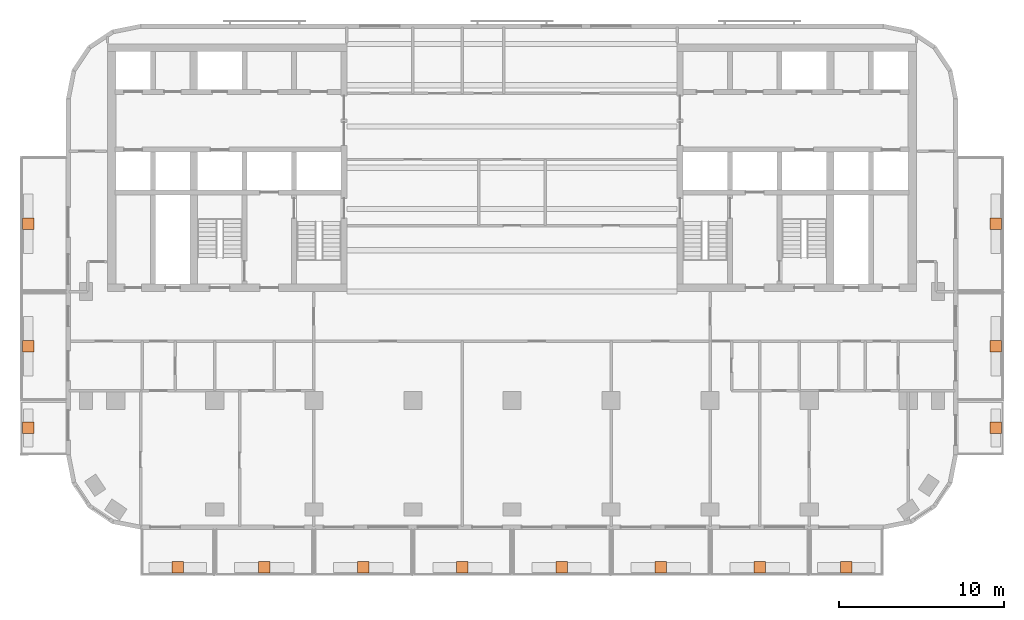
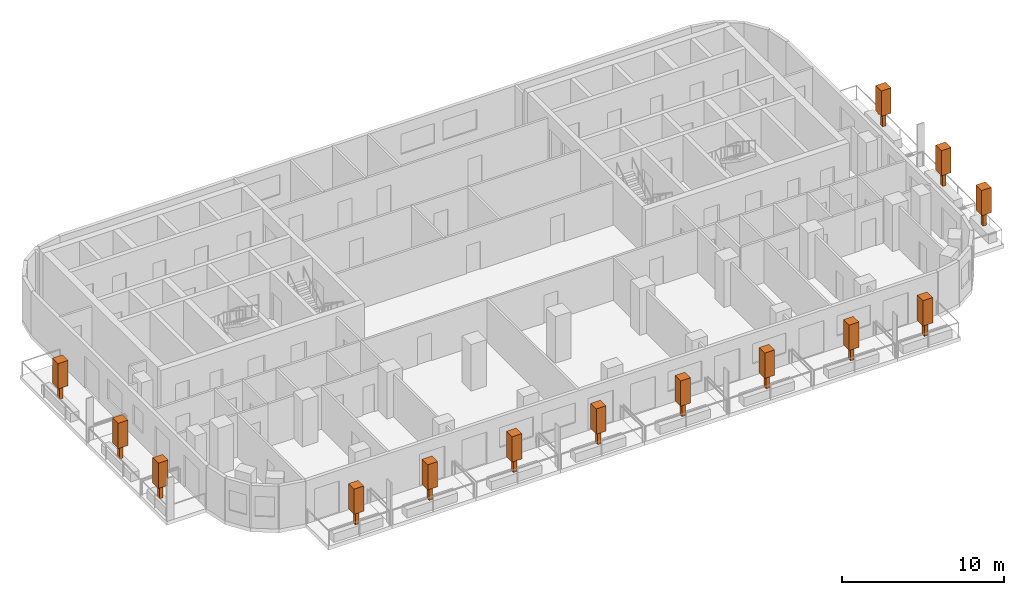
# One storey, part 11 of 11: 14 geographic elements.
"""IFC4 building model written with IfcOpenShell, lengths in metres."""

from ifc_helpers import new_model, si_unit, direction, frame, origin, origin_2d, place, context, subcontext, project, spatial, rectangle, extrude, material, element, save


model = new_model("IFC4")

# Units and contexts
model_context = context("Model", 3, precision=1e-05, world=origin(), true_north=direction((0.0, 1.0)))
body_context = subcontext(model_context, "Body", "Model", "MODEL_VIEW")
ifc_project = project(units=[si_unit("LENGTHUNIT", "METRE"), si_unit("AREAUNIT", "SQUARE_METRE"), si_unit("VOLUMEUNIT", "CUBIC_METRE"), si_unit("PLANEANGLEUNIT", "RADIAN"), si_unit("MASSUNIT", "GRAM", prefix="KILO")], contexts=[model_context])

# Site, building, storey
site_placement = place(None, origin())
site = spatial("IfcSite", under=ifc_project, at=site_placement, CompositionType="ELEMENT")
building_placement = place(site_placement, origin())
building = spatial("IfcBuilding", under=site, at=building_placement, Name="Torana Hotel and Residences", CompositionType="ELEMENT")
storey_placement = place(building_placement, frame((0.0, 0.0, 232.60009765625)))
storey = spatial("IfcBuildingStorey", under=building, at=storey_placement, Name="L61", CompositionType="ELEMENT", Elevation=232.60009765625)

# Geographic elements
ifc_material = material(Name="Foliage", Category="planting")
for number, where, z_axis, x_axis, name in (
    (1, (-20.25, -31.699951171875, 0.64990234375), (0.0, 0.0, 1.0), (1.0, 0.0, 0.0), "Tree 01"),
    (2, (-15.0, -31.699951171875, 0.64990234375), (0.0, 0.0, 1.0), (1.0, 0.0, 0.0), "Tree 02"),
    (3, (-9.0, -31.699951171875, 0.64990234375), (0.0, 0.0, 1.0), (1.0, 0.0, 0.0), "Tree 03"),
    (4, (-3.0, -31.699951171875, 0.64990234375), (0.0, 0.0, 1.0), (1.0, 0.0, 0.0), "Tree 04"),
    (5, (3.0, -31.699951171875, 0.64990234375), (0.0, 0.0, 1.0), (1.0, 0.0, 0.0), "Tree 05"),
    (6, (9.0, -31.699951171875, 0.64990234375), (0.0, 0.0, 1.0), (1.0, 0.0, 0.0), "Tree 06"),
    (7, (15.0, -31.699951171875, 0.64990234375), (0.0, 0.0, 1.0), (1.0, 0.0, 0.0), "Tree 07"),
    (8, (20.25, -31.699951171875, 0.64990234375), (0.0, 0.0, 1.0), (1.0, 0.0, 0.0), "Tree 08"),
    (9, (-29.300048828125, -23.25, 0.64990234375), (0.0, 0.0, 1.0), (1.0, 0.0, 0.0), "Tree 09"),
    (10, (-29.300048828125, -18.300048828125, 0.64990234375), (0.0, 0.0, 1.0), (1.0, 0.0, 0.0), "Tree 10"),
    (11, (-29.300048828125, -10.89990234375, 0.64990234375), (0.0, 0.0, 1.0), (1.0, 0.0, 0.0), "Tree 11"),
    (12, (29.300048828125, -23.25, 0.64990234375), (0.0, 0.0, 1.0), (1.0, 0.0, 0.0), "Tree 12"),
    (13, (29.300048828125, -18.300048828125, 0.64990234375), (0.0, 0.0, 1.0), (1.0, 0.0, 0.0), "Tree 13"),
    (14, (29.300048828125, -10.89990234375, 0.64990234375), (0.0, 0.0, 1.0), (1.0, 0.0, 0.0), "Tree 14"),
):
    element("IfcGeographicElement", number, at=place(storey_placement, frame(where, z_axis=z_axis, x_axis=x_axis)), inside=storey, material=ifc_material, Name=name, ObjectType="TREE", PredefinedType="USERDEFINED", context=body_context, shape_type="SweptSolid", body=[
        extrude(rectangle(XDim=0.25, YDim=0.25, at=origin_2d()), origin(), (0.0, 0.0, 1.0), 1.0),
        extrude(rectangle(XDim=0.699951171875, YDim=0.699951171875, at=origin_2d()), frame((0.0, 0.0, 1.0)), (0.0, 0.0, 1.0), 1.89990234375),
    ])

save(model, "model.ifc")
